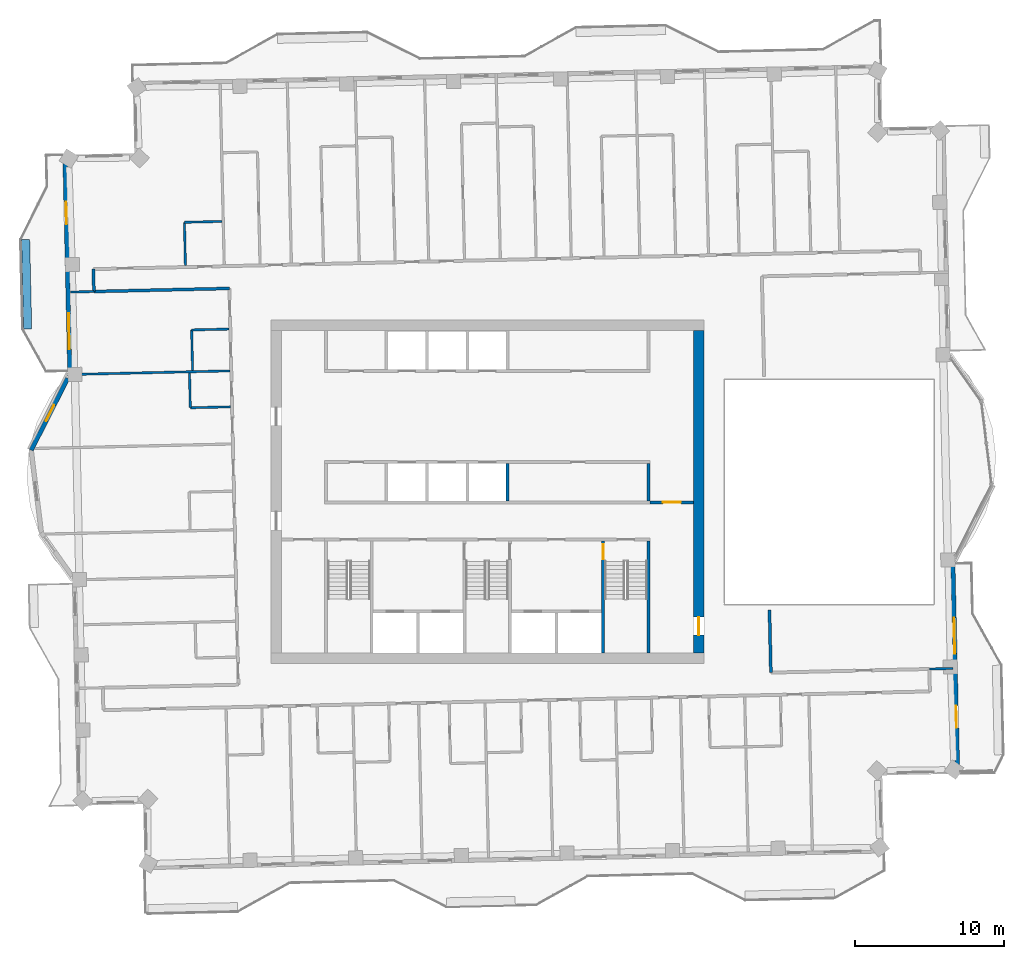
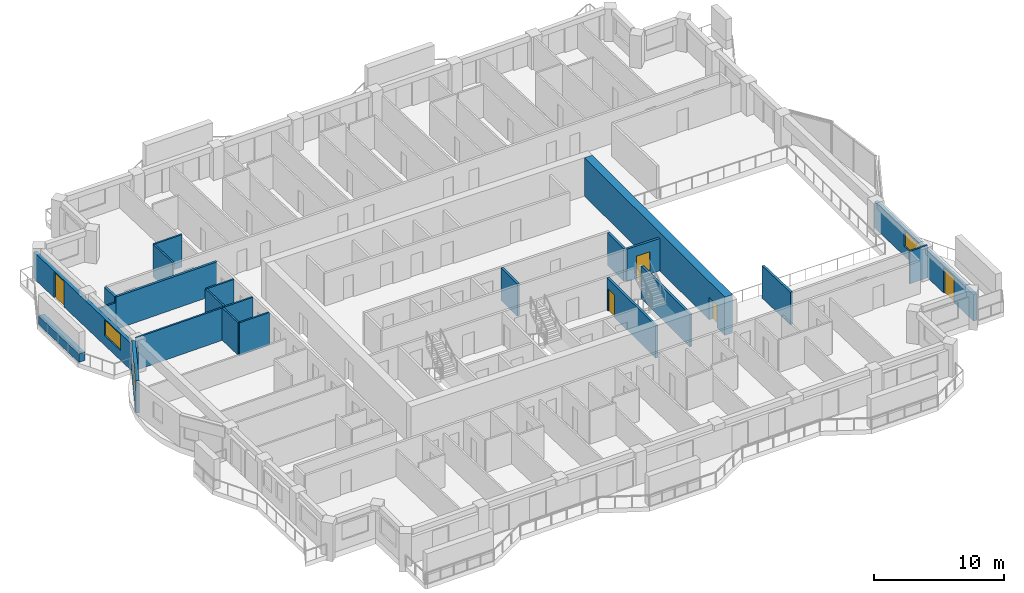
# One storey, part 12 of 19: 22 walls, 5 doors, 3 windows, 8 openings.
"""IFC4 building model written with IfcOpenShell, lengths in metres."""

import ifcopenshell
import ifcopenshell.guid

model = None  # the IFC model being written
_history = None  # IfcOwnerHistory: only IFC2X3 demands one
_inside = {}  # id of a spatial element -> (the spatial element, [elements in it])
_under = {}  # id of a project, library or spatial element -> (it, [spatial elements below it])
_declared = {}  # id of a project -> (the project, [libraries it declares])
_typed = {}  # id of a type object -> (the type object, [elements of that type])
_made_of = {}  # id of a material, layer set ... -> (it, [elements and type objects made of it])


def new_model(schema):
    """Start an empty IFC model of exactly this schema.

    Asked for "IFC4X3", IfcOpenShell would pick the latest addendum, in which some entities
    have other attributes; the version numbers below select the first issue.
    IFC2X3 requires an IfcOwnerHistory on every rooted entity: one is made here for all.
    """
    global model, _history
    if schema == "IFC4X3":
        model = ifcopenshell.file(schema_version=(4, 3, 0, 0))
    else:
        model = ifcopenshell.file(schema=schema)
    _inside.clear()
    _under.clear()
    _declared.clear()
    _typed.clear()
    _made_of.clear()
    _history = None
    if model.schema == "IFC2X3":
        org = make("IfcOrganization", Name="unknown")
        user = make(
            "IfcPersonAndOrganization",
            ThePerson=make("IfcPerson", FamilyName="unknown"),
            TheOrganization=org,
        )
        app = make(
            "IfcApplication",
            ApplicationDeveloper=org,
            Version="unknown",
            ApplicationFullName="unknown",
            ApplicationIdentifier="unknown",
        )
        _history = make(
            "IfcOwnerHistory",
            OwningUser=user,
            OwningApplication=app,
            ChangeAction="ADDED",
            CreationDate=0,
        )
    return model


def make(cls, **values):
    """One entity of the class cls with the attributes given. An attribute that is None is left unset."""
    return model.create_entity(
        cls, **{name: value for name, value in values.items() if value is not None}
    )


def rooted(cls, **values):
    """An entity with a GlobalId (a new one), such as an element, a storey or a relation."""
    return make(cls, GlobalId=ifcopenshell.guid.new(), OwnerHistory=_history, **values)


def si_unit(unit_type, name, prefix=None):
    """IfcSIUnit, for example si_unit("LENGTHUNIT", "METRE", prefix="MILLI")."""
    return make("IfcSIUnit", UnitType=unit_type, Prefix=prefix, Name=name)


def assignment(units):
    """IfcUnitAssignment: the units of a project."""
    return None if units is None else make("IfcUnitAssignment", Units=units)


def point(xyz):
    """IfcCartesianPoint."""
    return None if xyz is None else make("IfcCartesianPoint", Coordinates=xyz)


def direction(xyz):
    """IfcDirection."""
    return None if xyz is None else make("IfcDirection", DirectionRatios=xyz)


def frame(location, z_axis=None, x_axis=None):
    """IfcAxis2Placement3D, a coordinate frame: its origin and axes. An axis left out is left unset."""
    return make(
        "IfcAxis2Placement3D",
        Location=point(location),
        Axis=direction(z_axis),
        RefDirection=direction(x_axis),
    )


def frame_2d(location, x_axis=None):
    """IfcAxis2Placement2D, a coordinate frame in the plane: its origin and x axis."""
    return make(
        "IfcAxis2Placement2D", Location=point(location), RefDirection=direction(x_axis)
    )


def origin():
    """The frame at (0, 0, 0) with its axes left unset."""
    return frame((0.0, 0.0, 0.0))


def place(relative_to, where):
    """IfcLocalPlacement: puts the frame where relative to a parent placement (None: the world)."""
    return make(
        "IfcLocalPlacement", PlacementRelTo=relative_to, RelativePlacement=where
    )


def context(
    kind, dimensions, precision=None, world=None, true_north=None, identifier=None
):
    """IfcGeometricRepresentationContext, for example the 3D "Model" context."""
    return make(
        "IfcGeometricRepresentationContext",
        ContextIdentifier=identifier,
        ContextType=kind,
        CoordinateSpaceDimension=dimensions,
        Precision=precision,
        WorldCoordinateSystem=world,
        TrueNorth=true_north,
    )


def subcontext(parent, identifier, kind, view, scale=None):
    """IfcGeometricRepresentationSubContext, for example "Body" below "Model"."""
    return make(
        "IfcGeometricRepresentationSubContext",
        ContextIdentifier=identifier,
        ContextType=kind,
        ParentContext=parent,
        TargetScale=scale,
        TargetView=view,
    )


def project(units=None, contexts=None):
    """IfcProject with its units and contexts."""
    return rooted(
        "IfcProject",
        Name="project",
        RepresentationContexts=contexts,
        UnitsInContext=assignment(units),
    )


def spatial(cls, under=None, at=None, **own):
    """A site, building, storey or space (cls), placed at a placement, below another one or the project."""
    s = rooted(cls, ObjectPlacement=at, **own)
    if under is not None:
        _under.setdefault(under.id(), (under, []))[1].append(s)
    return s


def profile(cls, at=None, kind="AREA", **sizes):
    """A parametric profile (cls). Its sizes go by their IFC names, for example OverallWidth=200.0."""
    return make(cls, ProfileType=kind, Position=at, **sizes)


def rectangle(**sizes):
    """IfcRectangleProfileDef."""
    return profile("IfcRectangleProfileDef", **sizes)


def extrude(swept, where, along, depth):
    """IfcExtrudedAreaSolid: the profile swept, set in the frame where, extruded along a direction by depth."""
    return make(
        "IfcExtrudedAreaSolid",
        SweptArea=swept,
        Position=where,
        ExtrudedDirection=direction(along),
        Depth=depth,
    )


def shape(context_of_items, identifier, shape_type, items):
    """IfcShapeRepresentation: the items that make up one representation, for example the "Body"."""
    return make(
        "IfcShapeRepresentation",
        ContextOfItems=context_of_items,
        RepresentationIdentifier=identifier,
        RepresentationType=shape_type,
        Items=items,
    )


def material(Name=None, Category=None):
    """IfcMaterial."""
    return make("IfcMaterial", Name=Name, Category=Category)


def layer(
    of_material, thickness, ventilated=None, Name=None, Category=None, Priority=None
):
    """IfcMaterialLayer: one layer of a wall or slab, of a material (None: an air gap)."""
    return make(
        "IfcMaterialLayer",
        Material=of_material,
        LayerThickness=thickness,
        IsVentilated=ventilated,
        Name=Name,
        Category=Category,
        Priority=Priority,
    )


def layer_set(layers, Name=None):
    """IfcMaterialLayerSet."""
    return make("IfcMaterialLayerSet", MaterialLayers=layers, LayerSetName=Name)


def made_of(thing, what):
    """Note that an element or type object is made of a material, layer set ...; save() writes the relation."""
    if what is not None:
        _made_of.setdefault(what.id(), (what, []))[1].append(thing)
    return thing


def type_object(cls, material=None, **own):
    """A type object (cls), such as IfcWallType, which elements share."""
    return made_of(rooted(cls, **own), material)


def element(
    cls,
    number,
    at=None,
    inside=None,
    cuts=None,
    type_object=None,
    material=None,
    context=None,
    identifier="Body",
    shape_type=None,
    held_by="IfcProductDefinitionShape",
    body=None,
    shapes=None,
    **own,
):
    """One element of the class cls, such as IfcWall. Its Tag is "e" and its number.

    at: its placement. inside: the storey or other place that contains it. cuts: it is an
    opening in that element (IfcRelVoidsElement). A single representation is given by context,
    identifier, shape_type and body (its items); several are given by shapes. held_by: the class
    of the entity that holds the representations. save() writes the other relations.
    """
    e = rooted(cls, Tag="e%d" % number, ObjectPlacement=at, **own)
    if body is not None:
        shapes = [shape(context, identifier, shape_type, body)]
    if shapes is not None:
        e.Representation = make(held_by, Representations=shapes)
    if inside is not None:
        _inside.setdefault(inside.id(), (inside, []))[1].append(e)
    if cuts is not None:
        rooted(
            "IfcRelVoidsElement", RelatingBuildingElement=cuts, RelatedOpeningElement=e
        )
    if type_object is not None:
        _typed.setdefault(type_object.id(), (type_object, []))[1].append(e)
    return made_of(e, material)


def fill(opening, filler):
    """IfcRelFillsElement: the door or window that sits in an opening."""
    return rooted(
        "IfcRelFillsElement",
        RelatingOpeningElement=opening,
        RelatedBuildingElement=filler,
    )


def aggregate(whole, parts):
    """IfcRelAggregates: a whole, such as a stair, and the parts it consists of."""
    return rooted("IfcRelAggregates", RelatingObject=whole, RelatedObjects=parts)


def save(model, path):
    """Write the relations noted so far, then the file.

    IfcRelAggregates (storeys below a building ...), IfcRelContainedInSpatialStructure (elements
    in a storey), IfcRelDefinesByType, IfcRelAssociatesMaterial and IfcRelDeclares: one each for
    every whole, place, type object, material and project.
    """
    for whole, parts in _under.values():
        aggregate(whole, parts)
    for where, things in _inside.values():
        rooted(
            "IfcRelContainedInSpatialStructure",
            RelatedElements=things,
            RelatingStructure=where,
        )
    for kind, things in _typed.values():
        rooted("IfcRelDefinesByType", RelatedObjects=things, RelatingType=kind)
    for what, things in _made_of.values():
        rooted("IfcRelAssociatesMaterial", RelatedObjects=things, RelatingMaterial=what)
    for by, libraries in _declared.values():
        rooted("IfcRelDeclares", RelatingContext=by, RelatedDefinitions=libraries)
    model.write(path)


model = new_model("IFC4")

# Units and contexts
model_context = context("Model", 3, precision=1e-05, world=origin(), true_north=direction((0.0, 1.0)))
body_context = subcontext(model_context, "Body", "Model", "MODEL_VIEW")
ifc_project = project(units=[si_unit("LENGTHUNIT", "METRE"), si_unit("AREAUNIT", "SQUARE_METRE"), si_unit("VOLUMEUNIT", "CUBIC_METRE"), si_unit("PLANEANGLEUNIT", "RADIAN"), si_unit("MASSUNIT", "GRAM", prefix="KILO")], contexts=[model_context])

# Site, building, storey
site_placement = place(None, origin())
site = spatial("IfcSite", under=ifc_project, at=site_placement, CompositionType="ELEMENT")
building_placement = place(site_placement, origin())
building = spatial("IfcBuilding", under=site, at=building_placement, Name="Mangrove Gate Tower", CompositionType="ELEMENT")
storey_placement = place(building_placement, frame((0.0, 0.0, 283.5)))
storey = spatial("IfcBuildingStorey", under=building, at=storey_placement, Name="L72", CompositionType="ELEMENT", Elevation=283.5)

# Wall, opening, door
ifc_material_1 = material(Name="Concrete C32/40", Category="concrete")
ifc_layer_1 = layer(ifc_material_1, 0.199951171875)
ifc_layer_set_1 = layer_set([ifc_layer_1], Name="Core lobby wall 200 C32/40")
wall_type_1 = type_object("IfcWallType", Name="Core lobby wall 200 C32/40", PredefinedType="STANDARD", material=ifc_layer_set_1)
wall_1_placement = place(storey_placement, frame((10.89990234375, -0.699951171875, 0.0), z_axis=(0.0, 0.0, 1.0), x_axis=(1.0, 0.0, 0.0)))
wall_1 = element("IfcWall", 1, at=wall_1_placement, inside=storey, type_object=wall_type_1, Name="WALL-L72-CORE-32", PredefinedType="STANDARD", context=body_context, shape_type="SweptSolid", body=[
    extrude(rectangle(XDim=2.900146484375, YDim=0.199951171875, at=frame_2d((1.4501953125, 0.0))), origin(), (0.0, 0.0, 1.0), 3.050048828125),
])
opening_1_placement = place(wall_1_placement, frame((0.85009765625, 0.0, 0.0)))
opening_1 = element("IfcOpeningElement", 2, at=opening_1_placement, cuts=wall_1, Name="Opening FL12", PredefinedType="OPENING", context=body_context, shape_type="SweptSolid", body=[
    extrude(rectangle(XDim=1.199951171875, YDim=2.10009765625, at=frame_2d((0.60009765625, 1.050048828125))), frame((0.0, 0.10986328125, 0.0), z_axis=(0.0, -1.0, 0.0), x_axis=(1.0, 0.0, 0.0)), (0.0, 0.0, 1.0), 0.219970703125),
])
ifc_material_2 = material(Name="Fire-rated steel door set", Category="steel")
door_type_1 = type_object("IfcDoorType", Name="Lobby door FD60 1200x2100", OperationType="SINGLE_SWING_LEFT", PredefinedType="DOOR", material=ifc_material_2)
door_1_placement = place(opening_1_placement, origin())
door_1 = element("IfcDoor", 3, at=door_1_placement, inside=storey, type_object=door_type_1, Name="Lobby door core corridor E partition", OperationType="SINGLE_SWING_LEFT", OverallHeight=2.10009765625, OverallWidth=1.199951171875, PredefinedType="DOOR", context=body_context, shape_type="SweptSolid", body=[
    extrude(rectangle(XDim=1.199951171875, YDim=2.10009765625, at=frame_2d((0.60009765625, 1.050048828125))), frame((0.0, 0.02490234375, 0.0), z_axis=(0.0, -1.0, 0.0), x_axis=(1.0, 0.0, 0.0)), (0.0, 0.0, 1.0), 0.050048828125),
])
fill(opening_1, door_1)

# Walls
ifc_material_3 = material(Name="Concrete C32/40", Category="concrete")
ifc_layer_2 = layer(ifc_material_3, 0.199951171875)
ifc_layer_set_2 = layer_set([ifc_layer_2], Name="Core room wall 200 C32/40")
wall_type_2 = type_object("IfcWallType", Name="Core room wall 200 C32/40", PredefinedType="STANDARD", material=ifc_layer_set_2)
wall_2_placement = place(storey_placement, frame((10.800048828125, -0.60009765625, 0.0), z_axis=(0.0, 0.0, 1.0), x_axis=(0.0, 1.0, 0.0)))
element("IfcWall", 4, at=wall_2_placement, inside=storey, type_object=wall_type_2, Name="WALL-L72-CORE-24", PredefinedType="STANDARD", context=body_context, shape_type="SweptSolid", body=[
    extrude(rectangle(XDim=2.5, YDim=0.199951171875, at=frame_2d((1.25, 0.0))), origin(), (0.0, 0.0, 1.0), 3.050048828125),
])
ifc_material_4 = material(Name="Concrete C50/60", Category="concrete")
ifc_layer_3 = layer(ifc_material_4, 0.199951171875)
ifc_layer_set_3 = layer_set([ifc_layer_3], Name="Core shaft wall 200 C50/60")
wall_type_3 = type_object("IfcWallType", Name="Core shaft wall 200 C50/60", PredefinedType="SHEAR", material=ifc_layer_set_3)
wall_3_placement = place(storey_placement, frame((1.35009765625, -0.60009765625, 0.0), z_axis=(0.0, 0.0, 1.0), x_axis=(0.0, 1.0, 0.0)))
element("IfcWall", 5, at=wall_3_placement, inside=storey, type_object=wall_type_3, Name="WALL-L72-CORE-23", PredefinedType="SHEAR", context=body_context, shape_type="SweptSolid", body=[
    extrude(rectangle(XDim=2.5, YDim=0.199951171875, at=frame_2d((1.25, 0.0))), origin(), (0.0, 0.0, 1.0), 3.050048828125),
])

# Wall, opening, door
ifc_material_5 = material(Name="Concrete C50/60", Category="concrete")
ifc_layer_4 = layer(ifc_material_5, 0.199951171875)
ifc_layer_set_4 = layer_set([ifc_layer_4], Name="Core stair wall 200 C50/60")
wall_type_4 = type_object("IfcWallType", Name="Core stair wall 200 C50/60", PredefinedType="SHEAR", material=ifc_layer_set_4)
wall_4_placement = place(storey_placement, frame((7.75, -10.800048828125, 0.0), z_axis=(0.0, 0.0, 1.0), x_axis=(0.0, 1.0, 0.0)))
wall_4 = element("IfcWall", 6, at=wall_4_placement, inside=storey, type_object=wall_type_4, Name="WALL-L72-CORE-13", PredefinedType="SHEAR", context=body_context, shape_type="SweptSolid", body=[
    extrude(rectangle(XDim=7.5, YDim=0.199951171875, at=frame_2d((3.75, 0.0))), origin(), (0.0, 0.0, 1.0), 3.050048828125),
])
opening_2_placement = place(wall_4_placement, frame((6.300048828125, 0.0, 0.0)))
opening_2 = element("IfcOpeningElement", 7, at=opening_2_placement, cuts=wall_4, Name="Opening STD10", PredefinedType="OPENING", context=body_context, shape_type="SweptSolid", body=[
    extrude(rectangle(XDim=1.0, YDim=2.10009765625, at=frame_2d((0.5, 1.050048828125))), frame((0.0, 0.10986328125, 0.0), z_axis=(0.0, -1.0, 0.0), x_axis=(1.0, 0.0, 0.0)), (0.0, 0.0, 1.0), 0.219970703125),
])
ifc_material_6 = material(Name="Fire-rated steel door set", Category="steel")
door_type_2 = type_object("IfcDoorType", Name="Stair door FD60 1000x2100", OperationType="SINGLE_SWING_RIGHT", PredefinedType="DOOR", material=ifc_material_6)
door_2_placement = place(opening_2_placement, origin())
door_2 = element("IfcDoor", 8, at=door_2_placement, inside=storey, type_object=door_type_2, Name="Stair door Stair 3 from fire-fighting lobby", OperationType="SINGLE_SWING_RIGHT", OverallHeight=2.10009765625, OverallWidth=1.0, PredefinedType="DOOR", context=body_context, shape_type="SweptSolid", body=[
    extrude(rectangle(XDim=1.0, YDim=2.10009765625, at=frame_2d((0.5, 1.050048828125))), frame((0.0, 0.02490234375, 0.0), z_axis=(0.0, -1.0, 0.0), x_axis=(1.0, 0.0, 0.0)), (0.0, 0.0, 1.0), 0.050048828125),
])
fill(opening_2, door_2)

# Wall
wall_5_placement = place(storey_placement, frame((10.800048828125, -10.800048828125, 0.0), z_axis=(0.0, 0.0, 1.0), x_axis=(0.0, 1.0, 0.0)))
element("IfcWall", 9, at=wall_5_placement, inside=storey, type_object=wall_type_4, Name="WALL-L72-CORE-14", PredefinedType="SHEAR", context=body_context, shape_type="SweptSolid", body=[
    extrude(rectangle(XDim=7.5, YDim=0.199951171875, at=frame_2d((3.75, 0.0))), origin(), (0.0, 0.0, 1.0), 3.050048828125),
])

# Wall, opening, door
ifc_material_7 = material(Name="Concrete C50/60", Category="concrete")
ifc_layer_5 = layer(ifc_material_7, 0.699951171875)
ifc_layer_set_5 = layer_set([ifc_layer_5], Name="Core wall 700 C50/60")
wall_type_5 = type_object("IfcWallType", Name="Core wall 700 C50/60", PredefinedType="SHEAR", material=ifc_layer_set_5)
wall_6_placement = place(storey_placement, frame((14.14990234375, -10.800048828125, 0.0), z_axis=(0.0, 0.0, 1.0), x_axis=(0.0, 1.0, 0.0)))
wall_6 = element("IfcWall", 10, at=wall_6_placement, inside=storey, type_object=wall_type_5, Name="WALL-L72-CORE-4", PredefinedType="SHEAR", context=body_context, shape_type="SweptSolid", body=[
    extrude(rectangle(XDim=21.60009765625, YDim=0.699951171875, at=frame_2d((10.800048828125, 0.0))), origin(), (0.0, 0.0, 1.0), 3.60009765625),
])
opening_3_placement = place(wall_6_placement, frame((1.199951171875, 0.0, 0.0)))
opening_3 = element("IfcOpeningElement", 11, at=opening_3_placement, cuts=wall_6, Name="Opening CD", PredefinedType="OPENING", context=body_context, shape_type="SweptSolid", body=[
    extrude(rectangle(XDim=1.199951171875, YDim=2.10009765625, at=frame_2d((0.60009765625, 1.050048828125))), frame((0.0, 0.35986328125, 0.0), z_axis=(0.0, -1.0, 0.0), x_axis=(1.0, 0.0, 0.0)), (0.0, 0.0, 1.0), 0.719970703125),
])
ifc_material_8 = material(Name="Fire-rated steel door set", Category="steel")
door_type_3 = type_object("IfcDoorType", Name="Core ring door FD60 1200x2100", OperationType="DOUBLE_DOOR_SINGLE_SWING", PredefinedType="DOOR", material=ifc_material_8)
door_3_placement = place(opening_3_placement, origin())
door_3 = element("IfcDoor", 12, at=door_3_placement, inside=storey, type_object=door_type_3, Name="Core ring door E1", OperationType="DOUBLE_DOOR_SINGLE_SWING", OverallHeight=2.10009765625, OverallWidth=1.199951171875, PredefinedType="DOOR", context=body_context, shape_type="SweptSolid", body=[
    extrude(rectangle(XDim=1.199951171875, YDim=2.10009765625, at=frame_2d((0.60009765625, 1.050048828125))), frame((0.0, 0.02490234375, 0.0), z_axis=(0.0, -1.0, 0.0), x_axis=(1.0, 0.0, 0.0)), (0.0, 0.0, 1.0), 0.050048828125),
])
fill(opening_3, door_3)

# Walls
ifc_material_9 = material(Name="Gypsum board on steel stud, EI 60", Category="steel")
ifc_layer_6 = layer(ifc_material_9, 0.199951171875)
ifc_layer_set_6 = layer_set([ifc_layer_6], Name="Corridor wall EI 60")
wall_type_6 = type_object("IfcWallType", Name="Corridor wall EI 60", PredefinedType="PARTITIONING", material=ifc_layer_set_6)
wall_7_placement = place(storey_placement, frame((18.987060546875, -12.10888671875, 0.0), z_axis=(0.0, 0.0, 1.0), x_axis=(-0.022807092041, 0.999739884446, 0.0)))
element("IfcWall", 13, at=wall_7_placement, inside=storey, type_object=wall_type_6, Name="WALL-L72-035", PredefinedType="PARTITIONING", context=body_context, shape_type="SweptSolid", body=[
    extrude(rectangle(XDim=4.206787109375, YDim=0.199951171875, at=frame_2d((2.103515625, 0.0))), origin(), (0.0, 0.0, 1.0), 3.050048828125),
])
wall_8_placement = place(storey_placement, frame((-26.366943359375, 13.4189453125, 0.0), z_axis=(0.0, 0.0, 1.0), x_axis=(0.999742888587, 0.022675024131, 0.0)))
element("IfcWall", 14, at=wall_8_placement, inside=storey, type_object=wall_type_6, Name="WALL-L72-052", PredefinedType="PARTITIONING", context=body_context, shape_type="SweptSolid", body=[
    extrude(rectangle(XDim=9.08740234375, YDim=0.199951171875, at=frame_2d((4.543701171875, 0.0))), origin(), (0.0, 0.0, 1.0), 3.050048828125),
])
wall_9_placement = place(storey_placement, frame((-26.364013671875, 13.4189453125, 0.0), z_axis=(0.0, 0.0, 1.0), x_axis=(-0.022632637625, 0.99974384905, 0.0)))
element("IfcWall", 15, at=wall_9_placement, inside=storey, type_object=wall_type_6, Name="WALL-L72-053", PredefinedType="PARTITIONING", context=body_context, shape_type="SweptSolid", body=[
    extrude(rectangle(XDim=1.49951171875, YDim=0.199951171875, at=frame_2d((0.749755859375, 0.0))), origin(), (0.0, 0.0, 1.0), 3.050048828125),
])

# Wall, openings, door, window
ifc_material_10 = material(Name="Limestone", Category="masonry")
ifc_layer_7 = layer(ifc_material_10, 0.0400390625, Name="Limestone cladding")
ifc_material_11 = material(Name="Ventilated air gap")
ifc_layer_8 = layer(ifc_material_11, 0.0400390625, Name="Ventilated cavity")
ifc_material_12 = material(Name="Mineral wool insulation")
ifc_layer_9 = layer(ifc_material_12, 0.06005859375, Name="Insulation")
ifc_material_13 = material(Name="Breather membrane")
ifc_layer_10 = layer(ifc_material_13, 0.001953125, Name="Breather membrane")
ifc_material_14 = material(Name="Concrete C20/25 blockwork", Category="masonry")
ifc_layer_11 = layer(ifc_material_14, 0.14990234375, Name="Blockwork backing wall")
ifc_material_15 = material(Name="Gypsum plaster")
ifc_layer_12 = layer(ifc_material_15, 0.008056640625, Name="Internal plaster")
ifc_layer_set_7 = layer_set([ifc_layer_7, ifc_layer_8, ifc_layer_9, ifc_layer_10, ifc_layer_11, ifc_layer_12], Name="External wall 300 limestone cladding")
wall_type_7 = type_object("IfcWallType", Name="External wall 300 limestone cladding", PredefinedType="SOLIDWALL", material=ifc_layer_set_7)
wall_10_placement = place(storey_placement, frame((31.488037109375, -18.72705078125, 0.0), z_axis=(0.0, 0.0, 1.0), x_axis=(-0.022666132143, 0.999743090226, 0.0)))
wall_10 = element("IfcWall", 16, at=wall_10_placement, inside=storey, type_object=wall_type_7, Name="WALL-L72-E0s1", PredefinedType="SOLIDWALL", context=body_context, shape_type="SweptSolid", body=[
    extrude(rectangle(XDim=14.648681640625, YDim=0.300048828125, at=frame_2d((7.32421875, 0.0))), origin(), (0.0, 0.0, 1.0), 2.5),
])
opening_4_placement = place(wall_10_placement, frame((2.9150390625, 0.0, 0.0)))
opening_4 = element("IfcOpeningElement", 17, at=opening_4_placement, cuts=wall_10, Name="Opening BD1", PredefinedType="OPENING", context=body_context, shape_type="SweptSolid", body=[
    extrude(rectangle(XDim=1.5, YDim=2.39990234375, at=frame_2d((0.75, 1.199951171875))), frame((0.0, 0.159912109375, 0.0), z_axis=(0.0, -1.0, 0.0), x_axis=(1.0, 0.0, 0.0)), (0.0, 0.0, 1.0), 0.320068359375),
])
opening_5_placement = place(wall_10_placement, frame((7.89501953125, 0.0, 0.89990234375)))
opening_5 = element("IfcOpeningElement", 18, at=opening_5_placement, cuts=wall_10, Name="Opening W2", PredefinedType="OPENING", context=body_context, shape_type="SweptSolid", body=[
    extrude(rectangle(XDim=2.39990234375, YDim=1.5, at=frame_2d((1.199951171875, 0.75))), frame((0.0, 0.159912109375, 0.0), z_axis=(0.0, -1.0, 0.0), x_axis=(1.0, 0.0, 0.0)), (0.0, 0.0, 1.0), 0.320068359375),
])
ifc_material_16 = material(Name="Aluminium frame with laminated clear glass", Category="aluminium")
door_type_4 = type_object("IfcDoorType", Name="Balcony sliding door 1500x2400", OperationType="SLIDING_TO_LEFT", PredefinedType="DOOR", material=ifc_material_16)
door_4_placement = place(opening_4_placement, origin())
door_4 = element("IfcDoor", 19, at=door_4_placement, inside=storey, type_object=door_type_4, Name="DOOR-L72-E0-1", OperationType="SLIDING_TO_LEFT", OverallHeight=2.39990234375, OverallWidth=1.5, PredefinedType="DOOR", context=body_context, shape_type="SweptSolid", body=[
    extrude(rectangle(XDim=1.5, YDim=2.39990234375, at=frame_2d((0.75, 1.199951171875))), frame((0.0, 0.02490234375, 0.0), z_axis=(0.0, -1.0, 0.0), x_axis=(1.0, 0.0, 0.0)), (0.0, 0.0, 1.0), 0.050048828125),
])
fill(opening_4, door_4)
ifc_material_17 = material(Name="Aluminium frame with double-glazed low-e glass", Category="aluminium")
window_type_1 = type_object("IfcWindowType", Name="Corner room window 2400x1500", PartitioningType="DOUBLE_PANEL_VERTICAL", PredefinedType="WINDOW", material=ifc_material_17)
window_1_placement = place(opening_5_placement, origin())
window_1 = element("IfcWindow", 20, at=window_1_placement, inside=storey, type_object=window_type_1, Name="WIN-L72-E0-2", OverallHeight=1.5, OverallWidth=2.39990234375, PartitioningType="DOUBLE_PANEL_VERTICAL", PredefinedType="WINDOW", context=body_context, shape_type="SweptSolid", body=[
    extrude(rectangle(XDim=2.39990234375, YDim=1.5, at=frame_2d((1.199951171875, 0.75))), frame((0.0, 0.030029296875, 0.0), z_axis=(0.0, -1.0, 0.0), x_axis=(1.0, 0.0, 0.0)), (0.0, 0.0, 1.0), 0.06005859375),
])
fill(opening_5, window_1)

wall_11_placement = place(storey_placement, frame((-28.297119140625, 22.427001953125, 0.0), z_axis=(0.0, 0.0, 1.0), x_axis=(0.022663916124, -0.999743140465, 0.0)))
wall_11 = element("IfcWall", 21, at=wall_11_placement, inside=storey, type_object=wall_type_7, Name="WALL-L72-W8s1", PredefinedType="SOLIDWALL", context=body_context, shape_type="SweptSolid", body=[
    extrude(rectangle(XDim=15.048828125, YDim=0.300048828125, at=frame_2d((7.5244140625, 0.0))), origin(), (0.0, 0.0, 1.0), 2.5),
])
opening_6_placement = place(wall_11_placement, frame((3.001953125, 0.0, 0.0)))
opening_6 = element("IfcOpeningElement", 22, at=opening_6_placement, cuts=wall_11, Name="Opening BD1", PredefinedType="OPENING", context=body_context, shape_type="SweptSolid", body=[
    extrude(rectangle(XDim=1.5, YDim=2.39990234375, at=frame_2d((0.75, 1.199951171875))), frame((0.0, 0.159912109375, 0.0), z_axis=(0.0, -1.0, 0.0), x_axis=(1.0, 0.0, 0.0)), (0.0, 0.0, 1.0), 0.320068359375),
])
opening_7_placement = place(wall_11_placement, frame((10.47509765625, 0.0, 0.89990234375)))
opening_7 = element("IfcOpeningElement", 23, at=opening_7_placement, cuts=wall_11, Name="Opening W2", PredefinedType="OPENING", context=body_context, shape_type="SweptSolid", body=[
    extrude(rectangle(XDim=2.39990234375, YDim=1.5, at=frame_2d((1.199951171875, 0.75))), frame((0.0, 0.159912109375, 0.0), z_axis=(0.0, -1.0, 0.0), x_axis=(1.0, 0.0, 0.0)), (0.0, 0.0, 1.0), 0.320068359375),
])
door_5_placement = place(opening_6_placement, origin())
door_5 = element("IfcDoor", 24, at=door_5_placement, inside=storey, type_object=door_type_4, Name="DOOR-L72-W8-1", OperationType="SLIDING_TO_LEFT", OverallHeight=2.39990234375, OverallWidth=1.5, PredefinedType="DOOR", context=body_context, shape_type="SweptSolid", body=[
    extrude(rectangle(XDim=1.5, YDim=2.39990234375, at=frame_2d((0.75, 1.199951171875))), frame((0.0, 0.02490234375, 0.0), z_axis=(0.0, -1.0, 0.0), x_axis=(1.0, 0.0, 0.0)), (0.0, 0.0, 1.0), 0.050048828125),
])
fill(opening_6, door_5)
window_2_placement = place(opening_7_placement, origin())
window_2 = element("IfcWindow", 25, at=window_2_placement, inside=storey, type_object=window_type_1, Name="WIN-L72-W8-2", OverallHeight=1.5, OverallWidth=2.39990234375, PartitioningType="DOUBLE_PANEL_VERTICAL", PredefinedType="WINDOW", context=body_context, shape_type="SweptSolid", body=[
    extrude(rectangle(XDim=2.39990234375, YDim=1.5, at=frame_2d((1.199951171875, 0.75))), frame((0.0, 0.030029296875, 0.0), z_axis=(0.0, -1.0, 0.0), x_axis=(1.0, 0.0, 0.0)), (0.0, 0.0, 1.0), 0.06005859375),
])
fill(opening_7, window_2)

# Wall, opening, window
wall_12_placement = place(storey_placement, frame((-28.1201171875, 7.60791015625, 0.0), z_axis=(0.0, 0.0, 1.0), x_axis=(-0.45266802131, -0.891679125293, 0.0)))
wall_12 = element("IfcWall", 26, at=wall_12_placement, inside=storey, type_object=wall_type_7, Name="WALL-L72-W9f1", PredefinedType="SOLIDWALL", context=body_context, shape_type="SweptSolid", body=[
    extrude(rectangle(XDim=5.398681640625, YDim=0.300048828125, at=frame_2d((2.69921875, 0.0))), origin(), (0.0, 0.0, 1.0), 3.050048828125),
])
opening_8_placement = place(wall_12_placement, frame((2.008056640625, 0.0, 0.89990234375)))
opening_8 = element("IfcOpeningElement", 27, at=opening_8_placement, cuts=wall_12, Name="Opening W1", PredefinedType="OPENING", context=body_context, shape_type="SweptSolid", body=[
    extrude(rectangle(XDim=1.199951171875, YDim=1.5, at=frame_2d((0.60009765625, 0.75))), frame((0.0, 0.159912109375, 0.0), z_axis=(0.0, -1.0, 0.0), x_axis=(1.0, 0.0, 0.0)), (0.0, 0.0, 1.0), 0.320068359375),
])
ifc_material_18 = material(Name="Aluminium frame with double-glazed low-e glass", Category="aluminium")
window_type_2 = type_object("IfcWindowType", Name="Side lite 1200x1500", PartitioningType="SINGLE_PANEL", PredefinedType="WINDOW", material=ifc_material_18)
window_3_placement = place(opening_8_placement, origin())
window_3 = element("IfcWindow", 28, at=window_3_placement, inside=storey, type_object=window_type_2, Name="WIN-L72-W9f1", OverallHeight=1.5, OverallWidth=1.199951171875, PartitioningType="SINGLE_PANEL", PredefinedType="WINDOW", context=body_context, shape_type="SweptSolid", body=[
    extrude(rectangle(XDim=1.199951171875, YDim=1.5, at=frame_2d((0.60009765625, 0.75))), frame((0.0, 0.030029296875, 0.0), z_axis=(0.0, -1.0, 0.0), x_axis=(1.0, 0.0, 0.0)), (0.0, 0.0, 1.0), 0.06005859375),
])
fill(opening_8, window_3)

# Walls
ifc_material_19 = material(Name="Gypsum board on steel stud, EI 60", Category="steel")
ifc_layer_13 = layer(ifc_material_19, 0.14990234375)
ifc_layer_set_8 = layer_set([ifc_layer_13], Name="Party wall 150 EI 60")
wall_type_8 = type_object("IfcWallType", Name="Party wall 150 EI 60", PredefinedType="PARTITIONING", material=ifc_layer_set_8)
wall_13_placement = place(storey_placement, frame((29.60302734375, -11.867919921875, 0.0), z_axis=(0.0, 0.0, 1.0), x_axis=(0.999741755729, 0.022724916977, 0.0)))
element("IfcWall", 29, at=wall_13_placement, inside=storey, type_object=wall_type_8, Name="WALL-L72-036", PredefinedType="PARTITIONING", context=body_context, shape_type="SweptSolid", body=[
    extrude(rectangle(XDim=1.579345703125, YDim=0.14990234375, at=frame_2d((0.78955078125, 0.0))), origin(), (0.0, 0.0, 1.0), 3.050048828125),
])
wall_14_placement = place(storey_placement, frame((-19.90087890625, 5.633056640625, 0.0), z_axis=(0.0, 0.0, 1.0), x_axis=(0.999744396973, 0.02260842146, 0.0)))
element("IfcWall", 30, at=wall_14_placement, inside=storey, type_object=wall_type_8, Name="WALL-L72-045", PredefinedType="PARTITIONING", context=body_context, shape_type="SweptSolid", body=[
    extrude(rectangle(XDim=2.69970703125, YDim=0.14990234375, at=frame_2d((1.349853515625, 0.0))), origin(), (0.0, 0.0, 1.0), 3.050048828125),
])
wall_15_placement = place(storey_placement, frame((-19.906005859375, 5.637939453125, 0.0), z_axis=(0.0, 0.0, 1.0), x_axis=(-0.022781023197, 0.999740478815, 0.0)))
element("IfcWall", 31, at=wall_15_placement, inside=storey, type_object=wall_type_8, Name="WALL-L72-046", PredefinedType="PARTITIONING", context=body_context, shape_type="SweptSolid", body=[
    extrude(rectangle(XDim=2.325439453125, YDim=0.14990234375, at=frame_2d((1.16259765625, 0.0))), origin(), (0.0, 0.0, 1.0), 3.050048828125),
])
wall_16_placement = place(storey_placement, frame((-19.751953125, 8.116943359375, 0.0), z_axis=(0.0, 0.0, 1.0), x_axis=(-0.022749889061, 0.999741187782, 0.0)))
element("IfcWall", 32, at=wall_16_placement, inside=storey, type_object=wall_type_8, Name="WALL-L72-048", PredefinedType="PARTITIONING", context=body_context, shape_type="SweptSolid", body=[
    extrude(rectangle(XDim=2.725830078125, YDim=0.14990234375, at=frame_2d((1.36279296875, 0.0))), origin(), (0.0, 0.0, 1.0), 3.050048828125),
])
wall_17_placement = place(storey_placement, frame((-27.81689453125, 7.864013671875, 0.0), z_axis=(0.0, 0.0, 1.0), x_axis=(0.9997418952, 0.022718780382, 0.0)))
element("IfcWall", 33, at=wall_17_placement, inside=storey, type_object=wall_type_8, Name="WALL-L72-049", PredefinedType="PARTITIONING", context=body_context, shape_type="SweptSolid", body=[
    extrude(rectangle(XDim=10.5634765625, YDim=0.14990234375, at=frame_2d((5.28173828125, 0.0))), origin(), (0.0, 0.0, 1.0), 3.050048828125),
])
wall_18_placement = place(storey_placement, frame((-19.819091796875, 10.845947265625, 0.0), z_axis=(0.0, 0.0, 1.0), x_axis=(0.999738801317, 0.022854521249, 0.0)))
element("IfcWall", 34, at=wall_18_placement, inside=storey, type_object=wall_type_8, Name="WALL-L72-050", PredefinedType="PARTITIONING", context=body_context, shape_type="SweptSolid", body=[
    extrude(rectangle(XDim=2.499755859375, YDim=0.14990234375, at=frame_2d((1.25, 0.0))), origin(), (0.0, 0.0, 1.0), 3.050048828125),
])
wall_19_placement = place(storey_placement, frame((-27.94189453125, 13.383056640625, 0.0), z_axis=(0.0, 0.0, 1.0), x_axis=(0.999741755729, 0.022724916977, 0.0)))
element("IfcWall", 35, at=wall_19_placement, inside=storey, type_object=wall_type_8, Name="WALL-L72-051", PredefinedType="PARTITIONING", context=body_context, shape_type="SweptSolid", body=[
    extrude(rectangle(XDim=1.579345703125, YDim=0.14990234375, at=frame_2d((0.78955078125, 0.0))), origin(), (0.0, 0.0, 1.0), 2.5),
])
wall_20_placement = place(storey_placement, frame((-20.23193359375, 15.157958984375, 0.0), z_axis=(0.0, 0.0, 1.0), x_axis=(-0.022817032779, 0.999739657619, 0.0)))
element("IfcWall", 36, at=wall_20_placement, inside=storey, type_object=wall_type_8, Name="WALL-L72-058", PredefinedType="PARTITIONING", context=body_context, shape_type="SweptSolid", body=[
    extrude(rectangle(XDim=2.899658203125, YDim=0.14990234375, at=frame_2d((1.44970703125, 0.0))), origin(), (0.0, 0.0, 1.0), 3.050048828125),
])
wall_21_placement = place(storey_placement, frame((-20.2958984375, 18.056884765625, 0.0), z_axis=(0.0, 0.0, 1.0), x_axis=(0.999735102249, 0.023015762656, 0.0)))
element("IfcWall", 37, at=wall_21_placement, inside=storey, type_object=wall_type_8, Name="WALL-L72-078", PredefinedType="PARTITIONING", context=body_context, shape_type="SweptSolid", body=[
    extrude(rectangle(XDim=2.524658203125, YDim=0.14990234375, at=frame_2d((1.26220703125, 0.0))), origin(), (0.0, 0.0, 1.0), 3.050048828125),
])
ifc_material_20 = material(Name="Concrete C32/40", Category="concrete")
ifc_layer_14 = layer(ifc_material_20, 0.199951171875, Name="Planter trough wall")
ifc_material_21 = material(Name="Bituminous waterproofing membrane")
ifc_layer_15 = layer(ifc_material_21, 0.0048828125, Name="Waterproofing")
ifc_material_22 = material(Name="Drainage board and gravel")
ifc_layer_16 = layer(ifc_material_22, 0.044921875, Name="Drainage layer")
ifc_material_23 = material(Name="Planting soil")
ifc_layer_17 = layer(ifc_material_23, 0.300048828125, Name="Growing medium")
ifc_layer_set_9 = layer_set([ifc_layer_14, ifc_layer_15, ifc_layer_16, ifc_layer_17], Name="Planter wall 550 C32/40")
wall_type_9 = type_object("IfcWallType", Name="Planter wall 550 C32/40", PredefinedType="USERDEFINED", material=ifc_layer_set_9)
wall_22_placement = place(storey_placement, frame((-30.802001953125, 10.9169921875, 0.0), z_axis=(0.0, 0.0, 1.0), x_axis=(-0.022665943652, 0.999743094499, 0.0)))
element("IfcWall", 38, at=wall_22_placement, inside=storey, type_object=wall_type_9, Name="PLANTER L72 W0.1", ObjectType="PLANTER", PredefinedType="USERDEFINED", context=body_context, shape_type="SweptSolid", body=[
    extrude(rectangle(XDim=5.99951171875, YDim=0.550048828125, at=frame_2d((2.999755859375, 0.0))), origin(), (0.0, 0.0, 1.0), 0.800048828125),
])

save(model, "model.ifc")
